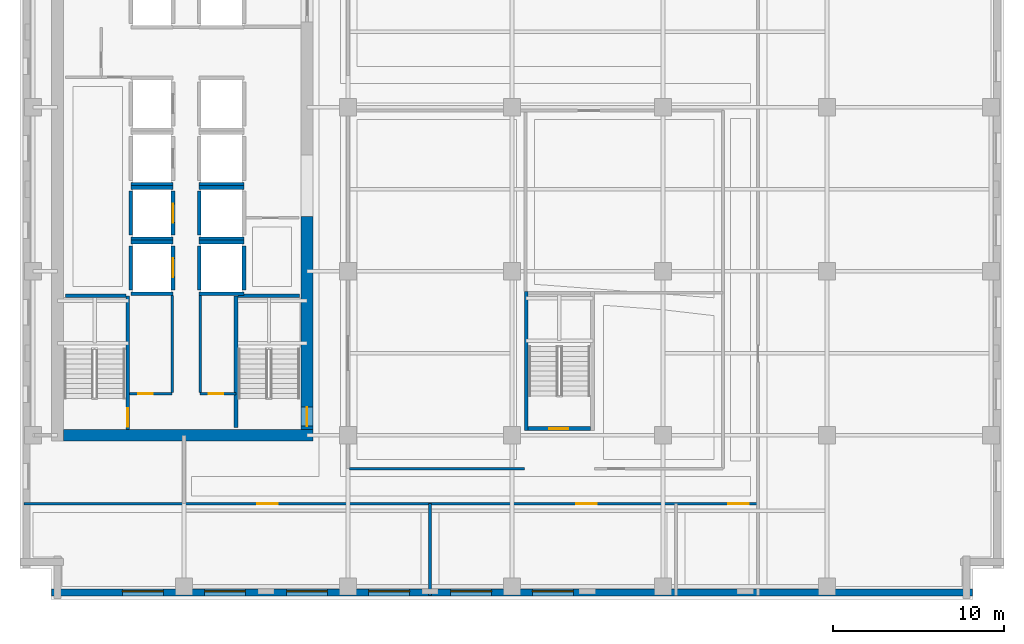
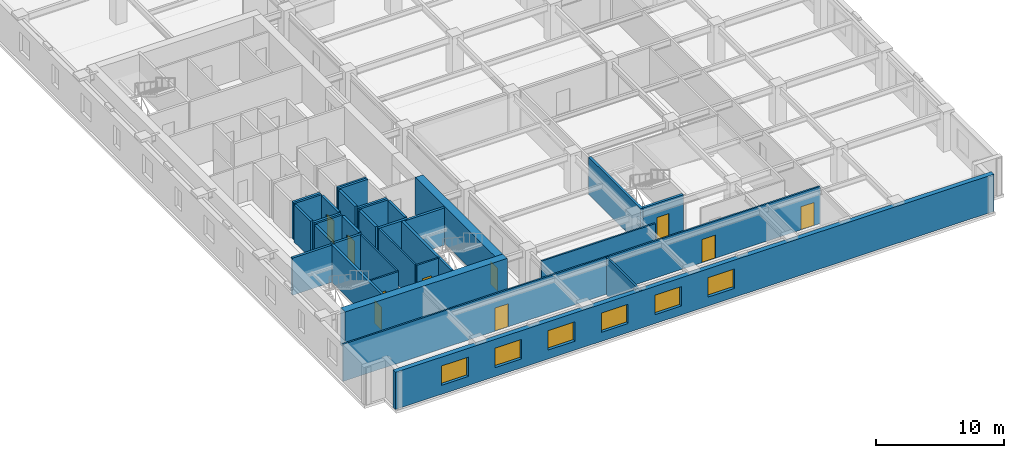
# One storey, part 4 of 13: 33 walls, 10 doors, 6 windows, 16 openings.
"""IFC4 building model written with IfcOpenShell, lengths in metres."""

from ifc_helpers import new_model, si_unit, direction, frame, frame_2d, origin, place, context, subcontext, project, spatial, rectangle, extrude, material, layer, layer_set, type_object, element, fill, save


model = new_model("IFC4")

# Units and contexts
model_context = context("Model", 3, precision=1e-05, world=origin(), true_north=direction((0.0, 1.0)))
body_context = subcontext(model_context, "Body", "Model", "MODEL_VIEW")
ifc_project = project(units=[si_unit("LENGTHUNIT", "METRE"), si_unit("AREAUNIT", "SQUARE_METRE"), si_unit("VOLUMEUNIT", "CUBIC_METRE"), si_unit("PLANEANGLEUNIT", "RADIAN"), si_unit("MASSUNIT", "GRAM", prefix="KILO")], contexts=[model_context])

# Site, building, storey
site_placement = place(None, origin())
site = spatial("IfcSite", under=ifc_project, at=site_placement, CompositionType="ELEMENT")
building_placement = place(site_placement, origin())
building = spatial("IfcBuilding", under=site, at=building_placement, Name="Norrvale University Quadrangle", CompositionType="ELEMENT")
storey_placement = place(building_placement, frame((0.0, 0.0, 131.800048828125)))
storey = spatial("IfcBuildingStorey", under=building, at=storey_placement, Name="L33", CompositionType="ELEMENT", Elevation=131.800048828125)

# Wall, openings, windows
ifc_material_1 = material(Name="Buff Norman Clay Brick Masonry", Category="masonry")
ifc_layer_1 = layer(ifc_material_1, 0.419921875, Name="Buff Norman Clay Brick Masonry")
ifc_layer_set_1 = layer_set([ifc_layer_1], Name="Buff Norman Clay Brick Masonry")
wall_type_1 = type_object("IfcWallType", Name="Wall Buff Brick 420", PredefinedType="SOLIDWALL", material=ifc_layer_set_1)
wall_1_placement = place(storey_placement, frame((1.840087890625, 0.389892578125, 0.0), z_axis=(0.0, 0.0, 1.0), x_axis=(1.0, 0.0, 0.0)))
wall_1 = element("IfcWall", 1, at=wall_1_placement, inside=storey, type_object=wall_type_1, Name="Exterior Brick Facade Wall L33-01.1", PredefinedType="SOLIDWALL", context=body_context, shape_type="SweptSolid", body=[
    extrude(rectangle(XDim=53.919921875, YDim=0.419921875, at=frame_2d((26.9599609375, 0.0))), origin(), (0.0, 0.0, 1.0), 3.5400390625),
])
opening_1_placement = place(wall_1_placement, frame((4.159912109375, 0.0, 0.85009765625)))
opening_1 = element("IfcOpeningElement", 2, at=opening_1_placement, cuts=wall_1, Name="Opening W02", PredefinedType="OPENING", context=body_context, shape_type="SweptSolid", body=[
    extrude(rectangle(XDim=2.39990234375, YDim=1.85009765625, at=frame_2d((1.199951171875, 0.925048828125))), frame((0.0, 0.221923828125, 0.0), z_axis=(0.0, -1.0, 0.0), x_axis=(1.0, 0.0, 0.0)), (0.0, 0.0, 1.0), 0.44384765625),
])
opening_2_placement = place(wall_1_placement, frame((8.9599609375, 0.0, 0.85009765625)))
opening_2 = element("IfcOpeningElement", 3, at=opening_2_placement, cuts=wall_1, Name="Opening W02", PredefinedType="OPENING", context=body_context, shape_type="SweptSolid", body=[
    extrude(rectangle(XDim=2.39990234375, YDim=1.85009765625, at=frame_2d((1.199951171875, 0.925048828125))), frame((0.0, 0.221923828125, 0.0), z_axis=(0.0, -1.0, 0.0), x_axis=(1.0, 0.0, 0.0)), (0.0, 0.0, 1.0), 0.44384765625),
])
opening_3_placement = place(wall_1_placement, frame((13.760009765625, 0.0, 0.85009765625)))
opening_3 = element("IfcOpeningElement", 4, at=opening_3_placement, cuts=wall_1, Name="Opening W02", PredefinedType="OPENING", context=body_context, shape_type="SweptSolid", body=[
    extrude(rectangle(XDim=2.39990234375, YDim=1.85009765625, at=frame_2d((1.199951171875, 0.925048828125))), frame((0.0, 0.221923828125, 0.0), z_axis=(0.0, -1.0, 0.0), x_axis=(1.0, 0.0, 0.0)), (0.0, 0.0, 1.0), 0.44384765625),
])
opening_4_placement = place(wall_1_placement, frame((18.56005859375, 0.0, 0.85009765625)))
opening_4 = element("IfcOpeningElement", 5, at=opening_4_placement, cuts=wall_1, Name="Opening W02", PredefinedType="OPENING", context=body_context, shape_type="SweptSolid", body=[
    extrude(rectangle(XDim=2.39990234375, YDim=1.85009765625, at=frame_2d((1.199951171875, 0.925048828125))), frame((0.0, 0.221923828125, 0.0), z_axis=(0.0, -1.0, 0.0), x_axis=(1.0, 0.0, 0.0)), (0.0, 0.0, 1.0), 0.44384765625),
])
opening_5_placement = place(wall_1_placement, frame((23.360107421875, 0.0, 0.85009765625)))
opening_5 = element("IfcOpeningElement", 6, at=opening_5_placement, cuts=wall_1, Name="Opening W02", PredefinedType="OPENING", context=body_context, shape_type="SweptSolid", body=[
    extrude(rectangle(XDim=2.39990234375, YDim=1.85009765625, at=frame_2d((1.199951171875, 0.925048828125))), frame((0.0, 0.221923828125, 0.0), z_axis=(0.0, -1.0, 0.0), x_axis=(1.0, 0.0, 0.0)), (0.0, 0.0, 1.0), 0.44384765625),
])
opening_6_placement = place(wall_1_placement, frame((28.159912109375, 0.0, 0.85009765625)))
opening_6 = element("IfcOpeningElement", 7, at=opening_6_placement, cuts=wall_1, Name="Opening W02", PredefinedType="OPENING", context=body_context, shape_type="SweptSolid", body=[
    extrude(rectangle(XDim=2.39990234375, YDim=1.85009765625, at=frame_2d((1.199951171875, 0.925048828125))), frame((0.0, 0.221923828125, 0.0), z_axis=(0.0, -1.0, 0.0), x_axis=(1.0, 0.0, 0.0)), (0.0, 0.0, 1.0), 0.44384765625),
])
ifc_material_2 = material(Name="Triple Low-E Argon Glazing", Category="glass")
window_type = type_object("IfcWindowType", Name="Window Academic 2400x2300", PartitioningType="TRIPLE_PANEL_VERTICAL", PredefinedType="WINDOW", material=ifc_material_2)
window_1_placement = place(opening_1_placement, origin())
window_1 = element("IfcWindow", 8, at=window_1_placement, inside=storey, type_object=window_type, Name="Window Academic 2400x2300 WIN-L33-E01-1-01", OverallHeight=1.85009765625, OverallWidth=2.39990234375, PartitioningType="TRIPLE_PANEL_VERTICAL", PredefinedType="WINDOW", context=body_context, shape_type="SweptSolid", body=[
    extrude(rectangle(XDim=2.39990234375, YDim=1.85009765625, at=frame_2d((1.199951171875, 0.925048828125))), frame((0.0, 0.110107421875, 0.0), z_axis=(0.0, -1.0, 0.0), x_axis=(1.0, 0.0, 0.0)), (0.0, 0.0, 1.0), 0.06005859375),
])
fill(opening_1, window_1)
window_2_placement = place(opening_2_placement, origin())
window_2 = element("IfcWindow", 9, at=window_2_placement, inside=storey, type_object=window_type, Name="Window Academic 2400x2300 WIN-L33-E01-1-02", OverallHeight=1.85009765625, OverallWidth=2.39990234375, PartitioningType="TRIPLE_PANEL_VERTICAL", PredefinedType="WINDOW", context=body_context, shape_type="SweptSolid", body=[
    extrude(rectangle(XDim=2.39990234375, YDim=1.85009765625, at=frame_2d((1.199951171875, 0.925048828125))), frame((0.0, 0.110107421875, 0.0), z_axis=(0.0, -1.0, 0.0), x_axis=(1.0, 0.0, 0.0)), (0.0, 0.0, 1.0), 0.06005859375),
])
fill(opening_2, window_2)
window_3_placement = place(opening_3_placement, origin())
window_3 = element("IfcWindow", 10, at=window_3_placement, inside=storey, type_object=window_type, Name="Window Academic 2400x2300 WIN-L33-E01-1-03", OverallHeight=1.85009765625, OverallWidth=2.39990234375, PartitioningType="TRIPLE_PANEL_VERTICAL", PredefinedType="WINDOW", context=body_context, shape_type="SweptSolid", body=[
    extrude(rectangle(XDim=2.39990234375, YDim=1.85009765625, at=frame_2d((1.199951171875, 0.925048828125))), frame((0.0, 0.110107421875, 0.0), z_axis=(0.0, -1.0, 0.0), x_axis=(1.0, 0.0, 0.0)), (0.0, 0.0, 1.0), 0.06005859375),
])
fill(opening_3, window_3)
window_4_placement = place(opening_4_placement, origin())
window_4 = element("IfcWindow", 11, at=window_4_placement, inside=storey, type_object=window_type, Name="Window Academic 2400x2300 WIN-L33-E01-1-04", OverallHeight=1.85009765625, OverallWidth=2.39990234375, PartitioningType="TRIPLE_PANEL_VERTICAL", PredefinedType="WINDOW", context=body_context, shape_type="SweptSolid", body=[
    extrude(rectangle(XDim=2.39990234375, YDim=1.85009765625, at=frame_2d((1.199951171875, 0.925048828125))), frame((0.0, 0.110107421875, 0.0), z_axis=(0.0, -1.0, 0.0), x_axis=(1.0, 0.0, 0.0)), (0.0, 0.0, 1.0), 0.06005859375),
])
fill(opening_4, window_4)
window_5_placement = place(opening_5_placement, origin())
window_5 = element("IfcWindow", 12, at=window_5_placement, inside=storey, type_object=window_type, Name="Window Academic 2400x2300 WIN-L33-E01-1-05", OverallHeight=1.85009765625, OverallWidth=2.39990234375, PartitioningType="TRIPLE_PANEL_VERTICAL", PredefinedType="WINDOW", context=body_context, shape_type="SweptSolid", body=[
    extrude(rectangle(XDim=2.39990234375, YDim=1.85009765625, at=frame_2d((1.199951171875, 0.925048828125))), frame((0.0, 0.110107421875, 0.0), z_axis=(0.0, -1.0, 0.0), x_axis=(1.0, 0.0, 0.0)), (0.0, 0.0, 1.0), 0.06005859375),
])
fill(opening_5, window_5)
window_6_placement = place(opening_6_placement, origin())
window_6 = element("IfcWindow", 13, at=window_6_placement, inside=storey, type_object=window_type, Name="Window Academic 2400x2300 WIN-L33-E01-1-06", OverallHeight=1.85009765625, OverallWidth=2.39990234375, PartitioningType="TRIPLE_PANEL_VERTICAL", PredefinedType="WINDOW", context=body_context, shape_type="SweptSolid", body=[
    extrude(rectangle(XDim=2.39990234375, YDim=1.85009765625, at=frame_2d((1.199951171875, 0.925048828125))), frame((0.0, 0.110107421875, 0.0), z_axis=(0.0, -1.0, 0.0), x_axis=(1.0, 0.0, 0.0)), (0.0, 0.0, 1.0), 0.06005859375),
])
fill(opening_6, window_6)

# Wall
ifc_material_3 = material(Name="Concrete C60/75", Category="concrete")
ifc_layer_2 = layer(ifc_material_3, 0.699951171875, Name="Concrete C60/75")
ifc_layer_set_2 = layer_set([ifc_layer_2], Name="Concrete C60/75")
wall_type_2 = type_object("IfcWallType", Name="Wall Core 700", PredefinedType="SHEAR", material=ifc_layer_set_2)
wall_2_placement = place(storey_placement, frame((2.550048828125, 9.60009765625, 0.0), z_axis=(0.0, 0.0, 1.0), x_axis=(1.0, 0.0, 0.0)))
element("IfcWall", 14, at=wall_2_placement, inside=storey, type_object=wall_type_2, Name="Tower Core Shear Wall L33-S", PredefinedType="SHEAR", context=body_context, shape_type="SweptSolid", body=[
    extrude(rectangle(XDim=14.599853515625, YDim=0.699951171875, at=frame_2d((7.2998046875, 0.0))), origin(), (0.0, 0.0, 1.0), 3.5400390625),
])

# Wall, opening, door
wall_3_placement = place(storey_placement, frame((16.800048828125, 9.949951171875, 0.0), z_axis=(0.0, 0.0, 1.0), x_axis=(0.0, 1.0, 0.0)))
wall_3 = element("IfcWall", 15, at=wall_3_placement, inside=storey, type_object=wall_type_2, Name="Tower Core Shear Wall L33-E1", PredefinedType="SHEAR", context=body_context, shape_type="SweptSolid", body=[
    extrude(rectangle(XDim=12.449951171875, YDim=0.699951171875, at=frame_2d((6.22509765625, 0.0))), origin(), (0.0, 0.0, 1.0), 3.5400390625),
])
opening_7_placement = place(wall_3_placement, frame((0.18994140625, 0.0, 0.0)))
opening_7 = element("IfcOpeningElement", 16, at=opening_7_placement, cuts=wall_3, Name="Opening D02", PredefinedType="OPENING", context=body_context, shape_type="SweptSolid", body=[
    extrude(rectangle(XDim=1.10009765625, YDim=2.199951171875, at=frame_2d((0.550048828125, 1.10009765625))), frame((0.0, 0.362060546875, 0.0), z_axis=(0.0, -1.0, 0.0), x_axis=(1.0, 0.0, 0.0)), (0.0, 0.0, 1.0), 0.723876953125),
])
ifc_material_4 = material(Name="Hollow Steel 350W Fire Door", Category="steel")
door_type_1 = type_object("IfcDoorType", Name="Door Stair Exit 1100x2200", OperationType="NOTDEFINED", PredefinedType="DOOR", material=ifc_material_4)
door_1_placement = place(opening_7_placement, origin())
door_1 = element("IfcDoor", 17, at=door_1_placement, inside=storey, type_object=door_type_1, Name="Door Stair Exit 1100x2200 DR-L33-ST03", OperationType="SINGLE_SWING_LEFT", OverallHeight=2.199951171875, OverallWidth=1.10009765625, PredefinedType="DOOR", context=body_context, shape_type="SweptSolid", body=[
    extrude(rectangle(XDim=1.10009765625, YDim=2.199951171875, at=frame_2d((0.550048828125, 1.10009765625))), frame((0.0, 0.02490234375, 0.0), z_axis=(0.0, -1.0, 0.0), x_axis=(1.0, 0.0, 0.0)), (0.0, 0.0, 1.0), 0.050048828125),
])
fill(opening_7, door_1)

ifc_material_5 = material(Name="Fire-Rated Gypsum Stud Partition")
ifc_layer_3 = layer(ifc_material_5, 0.14990234375, Name="Fire-Rated Gypsum Stud Partition")
ifc_layer_set_3 = layer_set([ifc_layer_3], Name="Fire-Rated Gypsum Stud Partition")
wall_type_3 = type_object("IfcWallType", Name="Wall Gypsum Corridor 150", PredefinedType="PARTITIONING", material=ifc_layer_set_3)
wall_4_placement = place(storey_placement, frame((6.419921875, 12.02001953125, 0.0), z_axis=(0.0, 0.0, 1.0), x_axis=(1.0, 0.0, 0.0)))
wall_4 = element("IfcWall", 18, at=wall_4_placement, inside=storey, type_object=wall_type_3, Name="Interior Partition WL-L33-SC-NL", PredefinedType="PARTITIONING", context=body_context, shape_type="SweptSolid", body=[
    extrude(rectangle(XDim=2.47998046875, YDim=0.14990234375, at=frame_2d((1.239990234375, 0.0))), origin(), (0.0, 0.0, 1.0), 3.5400390625),
])
opening_8_placement = place(wall_4_placement, frame((0.5, 0.0, 0.0)))
opening_8 = element("IfcOpeningElement", 19, at=opening_8_placement, cuts=wall_4, Name="Opening D10", PredefinedType="OPENING", context=body_context, shape_type="SweptSolid", body=[
    extrude(rectangle(XDim=0.85009765625, YDim=2.10009765625, at=frame_2d((0.425048828125, 1.050048828125))), frame((0.0, 0.0869140625, 0.0), z_axis=(0.0, -1.0, 0.0), x_axis=(1.0, 0.0, 0.0)), (0.0, 0.0, 1.0), 0.173828125),
])
ifc_material_6 = material(Name="Hollow Steel 350W Riser Fire Door", Category="steel")
door_type_2 = type_object("IfcDoorType", Name="Door Riser 850x2100", OperationType="NOTDEFINED", PredefinedType="DOOR", material=ifc_material_6)
door_2_placement = place(opening_8_placement, origin())
door_2 = element("IfcDoor", 20, at=door_2_placement, inside=storey, type_object=door_type_2, Name="Door Riser 850x2100 DR-L33-ELEC", OperationType="SINGLE_SWING_LEFT", OverallHeight=2.10009765625, OverallWidth=0.85009765625, PredefinedType="DOOR", context=body_context, shape_type="SweptSolid", body=[
    extrude(rectangle(XDim=0.85009765625, YDim=2.10009765625, at=frame_2d((0.425048828125, 1.050048828125))), frame((0.0, 0.02490234375, 0.0), z_axis=(0.0, -1.0, 0.0), x_axis=(1.0, 0.0, 0.0)), (0.0, 0.0, 1.0), 0.050048828125),
])
fill(opening_8, door_2)

wall_5_placement = place(storey_placement, frame((10.550048828125, 12.02001953125, 0.0), z_axis=(0.0, 0.0, 1.0), x_axis=(1.0, 0.0, 0.0)))
wall_5 = element("IfcWall", 21, at=wall_5_placement, inside=storey, type_object=wall_type_3, Name="Interior Partition WL-L33-SC-NR", PredefinedType="PARTITIONING", context=body_context, shape_type="SweptSolid", body=[
    extrude(rectangle(XDim=2.079833984375, YDim=0.14990234375, at=frame_2d((1.0400390625, 0.0))), origin(), (0.0, 0.0, 1.0), 3.5400390625),
])
opening_9_placement = place(wall_5_placement, frame((0.5, 0.0, 0.0)))
opening_9 = element("IfcOpeningElement", 22, at=opening_9_placement, cuts=wall_5, Name="Opening D10", PredefinedType="OPENING", context=body_context, shape_type="SweptSolid", body=[
    extrude(rectangle(XDim=0.85009765625, YDim=2.10009765625, at=frame_2d((0.425048828125, 1.050048828125))), frame((0.0, 0.0869140625, 0.0), z_axis=(0.0, -1.0, 0.0), x_axis=(1.0, 0.0, 0.0)), (0.0, 0.0, 1.0), 0.173828125),
])
door_3_placement = place(opening_9_placement, origin())
door_3 = element("IfcDoor", 23, at=door_3_placement, inside=storey, type_object=door_type_2, Name="Door Riser 850x2100 DR-L33-IDF", OperationType="SINGLE_SWING_RIGHT", OverallHeight=2.10009765625, OverallWidth=0.85009765625, PredefinedType="DOOR", context=body_context, shape_type="SweptSolid", body=[
    extrude(rectangle(XDim=0.85009765625, YDim=2.10009765625, at=frame_2d((0.425048828125, 1.050048828125))), frame((0.0, 0.02490234375, 0.0), z_axis=(0.0, -1.0, 0.0), x_axis=(1.0, 0.0, 0.0)), (0.0, 0.0, 1.0), 0.050048828125),
])
fill(opening_9, door_3)

# Walls
for number, where, z_axis, x_axis, name in (
    (24, (8.89990234375, 12.094970703125, 0.0), (0.0, 0.0, 1.0), (0.0, 1.0, 0.0), "Interior Partition WL-L33-SC-WL"),
    (25, (10.550048828125, 12.094970703125, 0.0), (0.0, 0.0, 1.0), (0.0, 1.0, 0.0), "Interior Partition WL-L33-SC-WR"),
):
    element("IfcWall", number, at=place(storey_placement, frame(where, z_axis=z_axis, x_axis=x_axis)), inside=storey, type_object=wall_type_3, Name=name, PredefinedType="PARTITIONING", context=body_context, shape_type="SweptSolid", body=[
        extrude(rectangle(XDim=5.679931640625, YDim=0.14990234375, at=frame_2d((2.83984375, 0.0))), origin(), (0.0, 0.0, 1.0), 3.5400390625),
    ])

# Wall, openings, doors
wall_6_placement = place(storey_placement, frame((0.219970703125, 5.60009765625, 0.0), z_axis=(0.0, 0.0, 1.0), x_axis=(1.0, 0.0, 0.0)))
wall_6 = element("IfcWall", 26, at=wall_6_placement, inside=storey, type_object=wall_type_3, Name="Interior Partition WL-L33-SCW", PredefinedType="PARTITIONING", context=body_context, shape_type="SweptSolid", body=[
    extrude(rectangle(XDim=42.97998046875, YDim=0.14990234375, at=frame_2d((21.489990234375, 0.0))), origin(), (0.0, 0.0, 1.0), 3.5400390625),
])
opening_10_placement = place(wall_6_placement, frame((13.679931640625, 0.0, 0.0)))
opening_10 = element("IfcOpeningElement", 27, at=opening_10_placement, cuts=wall_6, Name="Opening D05", PredefinedType="OPENING", context=body_context, shape_type="SweptSolid", body=[
    extrude(rectangle(XDim=1.199951171875, YDim=2.199951171875, at=frame_2d((0.60009765625, 1.10009765625))), frame((0.0, 0.0869140625, 0.0), z_axis=(0.0, -1.0, 0.0), x_axis=(1.0, 0.0, 0.0)), (0.0, 0.0, 1.0), 0.173828125),
])
opening_11_placement = place(wall_6_placement, frame((32.330078125, 0.0, 0.0)))
opening_11 = element("IfcOpeningElement", 28, at=opening_11_placement, cuts=wall_6, Name="Opening D05", PredefinedType="OPENING", context=body_context, shape_type="SweptSolid", body=[
    extrude(rectangle(XDim=1.199951171875, YDim=2.199951171875, at=frame_2d((0.60009765625, 1.10009765625))), frame((0.0, 0.0869140625, 0.0), z_axis=(0.0, -1.0, 0.0), x_axis=(1.0, 0.0, 0.0)), (0.0, 0.0, 1.0), 0.173828125),
])
opening_12_placement = place(wall_6_placement, frame((41.22998046875, 0.0, 0.0)))
opening_12 = element("IfcOpeningElement", 29, at=opening_12_placement, cuts=wall_6, Name="Opening D05", PredefinedType="OPENING", context=body_context, shape_type="SweptSolid", body=[
    extrude(rectangle(XDim=1.199951171875, YDim=2.199951171875, at=frame_2d((0.60009765625, 1.10009765625))), frame((0.0, 0.0869140625, 0.0), z_axis=(0.0, -1.0, 0.0), x_axis=(1.0, 0.0, 0.0)), (0.0, 0.0, 1.0), 0.173828125),
])
ifc_material_7 = material(Name="Acoustic Oak Classroom Door", Category="wood")
door_type_3 = type_object("IfcDoorType", Name="Door Classroom 1200x2200", OperationType="NOTDEFINED", PredefinedType="DOOR", material=ifc_material_7)
door_4_placement = place(opening_10_placement, origin())
door_4 = element("IfcDoor", 30, at=door_4_placement, inside=storey, type_object=door_type_3, Name="Door Classroom 1200x2200 DR-L33-S01", OperationType="SINGLE_SWING_LEFT", OverallHeight=2.199951171875, OverallWidth=1.199951171875, PredefinedType="DOOR", context=body_context, shape_type="SweptSolid", body=[
    extrude(rectangle(XDim=1.199951171875, YDim=2.199951171875, at=frame_2d((0.60009765625, 1.10009765625))), frame((0.0, 0.02490234375, 0.0), z_axis=(0.0, -1.0, 0.0), x_axis=(1.0, 0.0, 0.0)), (0.0, 0.0, 1.0), 0.050048828125),
])
fill(opening_10, door_4)
door_5_placement = place(opening_11_placement, origin())
door_5 = element("IfcDoor", 31, at=door_5_placement, inside=storey, type_object=door_type_3, Name="Door Classroom 1200x2200 DR-L33-S02", OperationType="SINGLE_SWING_RIGHT", OverallHeight=2.199951171875, OverallWidth=1.199951171875, PredefinedType="DOOR", context=body_context, shape_type="SweptSolid", body=[
    extrude(rectangle(XDim=1.199951171875, YDim=2.199951171875, at=frame_2d((0.60009765625, 1.10009765625))), frame((0.0, 0.02490234375, 0.0), z_axis=(0.0, -1.0, 0.0), x_axis=(1.0, 0.0, 0.0)), (0.0, 0.0, 1.0), 0.050048828125),
])
fill(opening_11, door_5)
door_6_placement = place(opening_12_placement, origin())
door_6 = element("IfcDoor", 32, at=door_6_placement, inside=storey, type_object=door_type_3, Name="Door Classroom 1200x2200 DR-L33-S03", OperationType="SINGLE_SWING_LEFT", OverallHeight=2.199951171875, OverallWidth=1.199951171875, PredefinedType="DOOR", context=body_context, shape_type="SweptSolid", body=[
    extrude(rectangle(XDim=1.199951171875, YDim=2.199951171875, at=frame_2d((0.60009765625, 1.10009765625))), frame((0.0, 0.02490234375, 0.0), z_axis=(0.0, -1.0, 0.0), x_axis=(1.0, 0.0, 0.0)), (0.0, 0.0, 1.0), 0.050048828125),
])
fill(opening_12, door_6)

# Walls
wall_7_placement = place(storey_placement, frame((19.280029296875, 7.64990234375, 0.0), z_axis=(0.0, 0.0, 1.0), x_axis=(1.0, 0.0, 0.0)))
element("IfcWall", 33, at=wall_7_placement, inside=storey, type_object=wall_type_3, Name="Interior Partition WL-L33-ISLS1", PredefinedType="PARTITIONING", context=body_context, shape_type="SweptSolid", body=[
    extrude(rectangle(XDim=10.244873046875, YDim=0.14990234375, at=frame_2d((5.12255859375, 0.0))), origin(), (0.0, 0.0, 1.0), 3.5400390625),
])
ifc_material_8 = material(Name="Sanitary Chase Gypsum Partition")
ifc_layer_4 = layer(ifc_material_8, 0.1650390625, Name="Sanitary Chase Gypsum Partition")
ifc_layer_set_4 = layer_set([ifc_layer_4], Name="Sanitary Chase Gypsum Partition")
wall_type_4 = type_object("IfcWallType", Name="Wall Gypsum Sanitary 165", PredefinedType="PLUMBINGWALL", material=ifc_layer_set_4)
wall_8_placement = place(storey_placement, frame((24.0, 0.219970703125, 0.0), z_axis=(0.0, 0.0, 1.0), x_axis=(0.0, 1.0, 0.0)))
element("IfcWall", 34, at=wall_8_placement, inside=storey, type_object=wall_type_4, Name="Interior Partition WL-L33-SP01", PredefinedType="PLUMBINGWALL", context=body_context, shape_type="SweptSolid", body=[
    extrude(rectangle(XDim=5.380126953125, YDim=0.1650390625, at=frame_2d((2.68994140625, 0.0))), origin(), (0.0, 0.0, 1.0), 3.5400390625),
])

# Wall, opening, door
ifc_material_9 = material(Name="Concrete Blockwork 20 MPa Fire Shaft", Category="masonry")
ifc_layer_5 = layer(ifc_material_9, 0.219970703125, Name="Concrete Blockwork 20 MPa Fire Shaft")
ifc_layer_set_5 = layer_set([ifc_layer_5], Name="Concrete Blockwork 20 MPa Fire Shaft")
wall_type_5 = type_object("IfcWallType", Name="Wall Shaft 220", PredefinedType="SOLIDWALL", material=ifc_layer_set_5)
wall_9_placement = place(storey_placement, frame((6.31005859375, 9.949951171875, 0.0), z_axis=(0.0, 0.0, 1.0), x_axis=(0.0, 1.0, 0.0)))
wall_9 = element("IfcWall", 35, at=wall_9_placement, inside=storey, type_object=wall_type_5, Name="Stair ST-01 East Shaft Wall L33", PredefinedType="SOLIDWALL", context=body_context, shape_type="SweptSolid", body=[
    extrude(rectangle(XDim=7.81005859375, YDim=0.219970703125, at=frame_2d((3.905029296875, 0.0))), origin(), (0.0, 0.0, 1.0), 3.5400390625),
])
opening_13_placement = place(wall_9_placement, frame((0.139892578125, 0.0, 0.0)))
opening_13 = element("IfcOpeningElement", 36, at=opening_13_placement, cuts=wall_9, Name="Opening D02", PredefinedType="OPENING", context=body_context, shape_type="SweptSolid", body=[
    extrude(rectangle(XDim=1.10009765625, YDim=2.199951171875, at=frame_2d((0.550048828125, 1.10009765625))), frame((0.0, 0.1220703125, 0.0), z_axis=(0.0, -1.0, 0.0), x_axis=(1.0, 0.0, 0.0)), (0.0, 0.0, 1.0), 0.243896484375),
])
door_7_placement = place(opening_13_placement, origin())
door_7 = element("IfcDoor", 37, at=door_7_placement, inside=storey, type_object=door_type_1, Name="Door Stair Exit 1100x2200 DR-L33-ST01", OperationType="SINGLE_SWING_LEFT", OverallHeight=2.199951171875, OverallWidth=1.10009765625, PredefinedType="DOOR", context=body_context, shape_type="SweptSolid", body=[
    extrude(rectangle(XDim=1.10009765625, YDim=2.199951171875, at=frame_2d((0.550048828125, 1.10009765625))), frame((0.0, 0.02490234375, 0.0), z_axis=(0.0, -1.0, 0.0), x_axis=(1.0, 0.0, 0.0)), (0.0, 0.0, 1.0), 0.050048828125),
])
fill(opening_13, door_7)

# Walls
wall_10_placement = place(storey_placement, frame((2.64990234375, 17.760009765625, 0.0), z_axis=(0.0, 0.0, 1.0), x_axis=(1.0, 0.0, 0.0)))
element("IfcWall", 38, at=wall_10_placement, inside=storey, type_object=wall_type_5, Name="Stair ST-01 North Shaft Wall L33", PredefinedType="SOLIDWALL", context=body_context, shape_type="SweptSolid", body=[
    extrude(rectangle(XDim=3.550048828125, YDim=0.219970703125, at=frame_2d((1.77490234375, 0.0))), origin(), (0.0, 0.0, 1.0), 3.5400390625),
])
wall_11_placement = place(storey_placement, frame((12.639892578125, 10.050048828125, 0.0), z_axis=(0.0, 0.0, 1.0), x_axis=(0.0, 1.0, 0.0)))
element("IfcWall", 39, at=wall_11_placement, inside=storey, type_object=wall_type_5, Name="Stair ST-03 West Shaft Wall L33", PredefinedType="SOLIDWALL", context=body_context, shape_type="SweptSolid", body=[
    extrude(rectangle(XDim=7.7099609375, YDim=0.219970703125, at=frame_2d((3.85498046875, 0.0))), origin(), (0.0, 0.0, 1.0), 3.5400390625),
])
wall_12_placement = place(storey_placement, frame((12.75, 17.760009765625, 0.0), z_axis=(0.0, 0.0, 1.0), x_axis=(1.0, 0.0, 0.0)))
element("IfcWall", 40, at=wall_12_placement, inside=storey, type_object=wall_type_5, Name="Stair ST-03 North Shaft Wall L33", PredefinedType="SOLIDWALL", context=body_context, shape_type="SweptSolid", body=[
    extrude(rectangle(XDim=3.60009765625, YDim=0.219970703125, at=frame_2d((1.800048828125, 0.0))), origin(), (0.0, 0.0, 1.0), 3.5400390625),
])

# Wall, opening, door
wall_13_placement = place(storey_placement, frame((29.75, 9.989990234375, 0.0), z_axis=(0.0, 0.0, 1.0), x_axis=(1.0, 0.0, 0.0)))
wall_13 = element("IfcWall", 41, at=wall_13_placement, inside=storey, type_object=wall_type_5, Name="Stair ST-04 South Shaft Wall L33", PredefinedType="SOLIDWALL", context=body_context, shape_type="SweptSolid", body=[
    extrude(rectangle(XDim=3.64990234375, YDim=0.219970703125, at=frame_2d((1.824951171875, 0.0))), origin(), (0.0, 0.0, 1.0), 3.5400390625),
])
opening_14_placement = place(wall_13_placement, frame((1.239990234375, 0.0, 0.0)))
opening_14 = element("IfcOpeningElement", 42, at=opening_14_placement, cuts=wall_13, Name="Opening D02", PredefinedType="OPENING", context=body_context, shape_type="SweptSolid", body=[
    extrude(rectangle(XDim=1.10009765625, YDim=2.199951171875, at=frame_2d((0.550048828125, 1.10009765625))), frame((0.0, 0.1220703125, 0.0), z_axis=(0.0, -1.0, 0.0), x_axis=(1.0, 0.0, 0.0)), (0.0, 0.0, 1.0), 0.243896484375),
])
door_8_placement = place(opening_14_placement, origin())
door_8 = element("IfcDoor", 43, at=door_8_placement, inside=storey, type_object=door_type_1, Name="Door Stair Exit 1100x2200 DR-L33-ST04", OperationType="SINGLE_SWING_LEFT", OverallHeight=2.199951171875, OverallWidth=1.10009765625, PredefinedType="DOOR", context=body_context, shape_type="SweptSolid", body=[
    extrude(rectangle(XDim=1.10009765625, YDim=2.199951171875, at=frame_2d((0.550048828125, 1.10009765625))), frame((0.0, 0.02490234375, 0.0), z_axis=(0.0, -1.0, 0.0), x_axis=(1.0, 0.0, 0.0)), (0.0, 0.0, 1.0), 0.050048828125),
])
fill(opening_14, door_8)

# Walls
wall_14_placement = place(storey_placement, frame((29.639892578125, 9.8798828125, 0.0), z_axis=(0.0, 0.0, 1.0), x_axis=(0.0, 1.0, 0.0)))
element("IfcWall", 44, at=wall_14_placement, inside=storey, type_object=wall_type_5, Name="Stair ST-04 West Shaft Wall L33", PredefinedType="SOLIDWALL", context=body_context, shape_type="SweptSolid", body=[
    extrude(rectangle(XDim=8.14013671875, YDim=0.219970703125, at=frame_2d((4.070068359375, 0.0))), origin(), (0.0, 0.0, 1.0), 3.5400390625),
])
wall_15_placement = place(storey_placement, frame((6.489990234375, 18.110107421875, 0.0), z_axis=(0.0, 0.0, 1.0), x_axis=(0.0, 1.0, 0.0)))
element("IfcWall", 45, at=wall_15_placement, inside=storey, type_object=wall_type_5, Name="Hoistway PL-01 West Wall L33", PredefinedType="SOLIDWALL", context=body_context, shape_type="SweptSolid", body=[
    extrude(rectangle(XDim=2.579833984375, YDim=0.219970703125, at=frame_2d((1.2900390625, 0.0))), origin(), (0.0, 0.0, 1.0), 3.5400390625),
])

# Wall, opening, door
wall_16_placement = place(storey_placement, frame((8.9599609375, 18.110107421875, 0.0), z_axis=(0.0, 0.0, 1.0), x_axis=(0.0, 1.0, 0.0)))
wall_16 = element("IfcWall", 46, at=wall_16_placement, inside=storey, type_object=wall_type_5, Name="Hoistway PL-01 East Wall L33", PredefinedType="SOLIDWALL", context=body_context, shape_type="SweptSolid", body=[
    extrude(rectangle(XDim=2.579833984375, YDim=0.219970703125, at=frame_2d((1.2900390625, 0.0))), origin(), (0.0, 0.0, 1.0), 3.5400390625),
])
opening_15_placement = place(wall_16_placement, frame((0.739990234375, 0.0, 0.0)))
opening_15 = element("IfcOpeningElement", 47, at=opening_15_placement, cuts=wall_16, Name="Opening LD1", PredefinedType="OPENING", context=body_context, shape_type="SweptSolid", body=[
    extrude(rectangle(XDim=1.10009765625, YDim=2.199951171875, at=frame_2d((0.550048828125, 1.10009765625))), frame((0.0, 0.1220703125, 0.0), z_axis=(0.0, -1.0, 0.0), x_axis=(1.0, 0.0, 0.0)), (0.0, 0.0, 1.0), 0.243896484375),
])
ifc_material_10 = material(Name="Stainless Steel 316L Lift Landing Door", Category="steel")
door_type_4 = type_object("IfcDoorType", Name="Door Lift Landing 1100x2200", OperationType="DOUBLE_DOOR_SLIDING", PredefinedType="DOOR", material=ifc_material_10)
door_9_placement = place(opening_15_placement, origin())
door_9 = element("IfcDoor", 48, at=door_9_placement, inside=storey, type_object=door_type_4, Name="Elevator Landing Door DR-L33-PL-01", OperationType="DOUBLE_DOOR_SLIDING", OverallHeight=2.199951171875, OverallWidth=1.10009765625, PredefinedType="DOOR", context=body_context, shape_type="SweptSolid", body=[
    extrude(rectangle(XDim=1.10009765625, YDim=2.199951171875, at=frame_2d((0.550048828125, 1.10009765625))), frame((0.0, 0.02490234375, 0.0), z_axis=(0.0, -1.0, 0.0), x_axis=(1.0, 0.0, 0.0)), (0.0, 0.0, 1.0), 0.050048828125),
])
fill(opening_15, door_9)

# Walls
for number, where, z_axis, x_axis, name in (
    (49, (6.489990234375, 17.889892578125, 0.0), (0.0, 0.0, 1.0), (1.0, 0.0, 0.0), "Hoistway PL-01 South Wall L33"),
    (50, (6.489990234375, 20.909912109375, 0.0), (0.0, 0.0, 1.0), (1.0, 0.0, 0.0), "Hoistway PL-01 North Wall L33"),
):
    element("IfcWall", number, at=place(storey_placement, frame(where, z_axis=z_axis, x_axis=x_axis)), inside=storey, type_object=wall_type_5, Name=name, PredefinedType="SOLIDWALL", context=body_context, shape_type="SweptSolid", body=[
        extrude(rectangle(XDim=2.469970703125, YDim=0.219970703125, at=frame_2d((1.23486328125, 0.0))), origin(), (0.0, 0.0, 1.0), 3.5400390625),
    ])
wall_17_placement = place(storey_placement, frame((6.489990234375, 21.31005859375, 0.0), z_axis=(0.0, 0.0, 1.0), x_axis=(0.0, 1.0, 0.0)))
element("IfcWall", 51, at=wall_17_placement, inside=storey, type_object=wall_type_5, Name="Hoistway PL-02 West Wall L33", PredefinedType="SOLIDWALL", context=body_context, shape_type="SweptSolid", body=[
    extrude(rectangle(XDim=2.579833984375, YDim=0.219970703125, at=frame_2d((1.2900390625, 0.0))), origin(), (0.0, 0.0, 1.0), 3.5400390625),
])

# Wall, opening, door
wall_18_placement = place(storey_placement, frame((8.9599609375, 21.31005859375, 0.0), z_axis=(0.0, 0.0, 1.0), x_axis=(0.0, 1.0, 0.0)))
wall_18 = element("IfcWall", 52, at=wall_18_placement, inside=storey, type_object=wall_type_5, Name="Hoistway PL-02 East Wall L33", PredefinedType="SOLIDWALL", context=body_context, shape_type="SweptSolid", body=[
    extrude(rectangle(XDim=2.579833984375, YDim=0.219970703125, at=frame_2d((1.2900390625, 0.0))), origin(), (0.0, 0.0, 1.0), 3.5400390625),
])
opening_16_placement = place(wall_18_placement, frame((0.739990234375, 0.0, 0.0)))
opening_16 = element("IfcOpeningElement", 53, at=opening_16_placement, cuts=wall_18, Name="Opening LD1", PredefinedType="OPENING", context=body_context, shape_type="SweptSolid", body=[
    extrude(rectangle(XDim=1.10009765625, YDim=2.199951171875, at=frame_2d((0.550048828125, 1.10009765625))), frame((0.0, 0.1220703125, 0.0), z_axis=(0.0, -1.0, 0.0), x_axis=(1.0, 0.0, 0.0)), (0.0, 0.0, 1.0), 0.243896484375),
])
door_10_placement = place(opening_16_placement, origin())
door_10 = element("IfcDoor", 54, at=door_10_placement, inside=storey, type_object=door_type_4, Name="Elevator Landing Door DR-L33-PL-02", OperationType="DOUBLE_DOOR_SLIDING", OverallHeight=2.199951171875, OverallWidth=1.10009765625, PredefinedType="DOOR", context=body_context, shape_type="SweptSolid", body=[
    extrude(rectangle(XDim=1.10009765625, YDim=2.199951171875, at=frame_2d((0.550048828125, 1.10009765625))), frame((0.0, 0.02490234375, 0.0), z_axis=(0.0, -1.0, 0.0), x_axis=(1.0, 0.0, 0.0)), (0.0, 0.0, 1.0), 0.050048828125),
])
fill(opening_16, door_10)

# Walls
for number, where, z_axis, x_axis, name in (
    (55, (6.489990234375, 21.090087890625, 0.0), (0.0, 0.0, 1.0), (1.0, 0.0, 0.0), "Hoistway PL-02 South Wall L33"),
    (56, (6.489990234375, 24.110107421875, 0.0), (0.0, 0.0, 1.0), (1.0, 0.0, 0.0), "Hoistway PL-02 North Wall L33"),
    (57, (6.489990234375, 24.2900390625, 0.0), (0.0, 0.0, 1.0), (1.0, 0.0, 0.0), "Hoistway PL-03 South Wall L33"),
):
    element("IfcWall", number, at=place(storey_placement, frame(where, z_axis=z_axis, x_axis=x_axis)), inside=storey, type_object=wall_type_5, Name=name, PredefinedType="SOLIDWALL", context=body_context, shape_type="SweptSolid", body=[
        extrude(rectangle(XDim=2.469970703125, YDim=0.219970703125, at=frame_2d((1.23486328125, 0.0))), origin(), (0.0, 0.0, 1.0), 3.5400390625),
    ])
for number, where, z_axis, x_axis, name in (
    (58, (10.489990234375, 18.110107421875, 0.0), (0.0, 0.0, 1.0), (0.0, 1.0, 0.0), "Hoistway PL-05 West Wall L33"),
    (59, (13.110107421875, 18.110107421875, 0.0), (0.0, 0.0, 1.0), (0.0, 1.0, 0.0), "Hoistway PL-05 East Wall L33"),
):
    element("IfcWall", number, at=place(storey_placement, frame(where, z_axis=z_axis, x_axis=x_axis)), inside=storey, type_object=wall_type_5, Name=name, PredefinedType="SOLIDWALL", context=body_context, shape_type="SweptSolid", body=[
        extrude(rectangle(XDim=2.579833984375, YDim=0.219970703125, at=frame_2d((1.2900390625, 0.0))), origin(), (0.0, 0.0, 1.0), 3.5400390625),
    ])
for number, where, z_axis, x_axis, name in (
    (60, (10.489990234375, 17.889892578125, 0.0), (0.0, 0.0, 1.0), (1.0, 0.0, 0.0), "Hoistway PL-05 South Wall L33"),
    (61, (10.489990234375, 20.909912109375, 0.0), (0.0, 0.0, 1.0), (1.0, 0.0, 0.0), "Hoistway PL-05 North Wall L33"),
):
    element("IfcWall", number, at=place(storey_placement, frame(where, z_axis=z_axis, x_axis=x_axis)), inside=storey, type_object=wall_type_5, Name=name, PredefinedType="SOLIDWALL", context=body_context, shape_type="SweptSolid", body=[
        extrude(rectangle(XDim=2.6201171875, YDim=0.219970703125, at=frame_2d((1.31005859375, 0.0))), origin(), (0.0, 0.0, 1.0), 3.5400390625),
    ])
wall_19_placement = place(storey_placement, frame((10.489990234375, 21.31005859375, 0.0), z_axis=(0.0, 0.0, 1.0), x_axis=(0.0, 1.0, 0.0)))
element("IfcWall", 62, at=wall_19_placement, inside=storey, type_object=wall_type_5, Name="Hoistway PL-06 West Wall L33", PredefinedType="SOLIDWALL", context=body_context, shape_type="SweptSolid", body=[
    extrude(rectangle(XDim=2.579833984375, YDim=0.219970703125, at=frame_2d((1.2900390625, 0.0))), origin(), (0.0, 0.0, 1.0), 3.5400390625),
])
for number, where, z_axis, x_axis, name in (
    (63, (10.489990234375, 21.090087890625, 0.0), (0.0, 0.0, 1.0), (1.0, 0.0, 0.0), "Hoistway PL-06 South Wall L33"),
    (64, (10.489990234375, 24.110107421875, 0.0), (0.0, 0.0, 1.0), (1.0, 0.0, 0.0), "Hoistway PL-06 North Wall L33"),
    (65, (10.489990234375, 24.2900390625, 0.0), (0.0, 0.0, 1.0), (1.0, 0.0, 0.0), "Hoistway PL-07 South Wall L33"),
):
    element("IfcWall", number, at=place(storey_placement, frame(where, z_axis=z_axis, x_axis=x_axis)), inside=storey, type_object=wall_type_5, Name=name, PredefinedType="SOLIDWALL", context=body_context, shape_type="SweptSolid", body=[
        extrude(rectangle(XDim=2.6201171875, YDim=0.219970703125, at=frame_2d((1.31005859375, 0.0))), origin(), (0.0, 0.0, 1.0), 3.5400390625),
    ])

save(model, "model.ifc")
